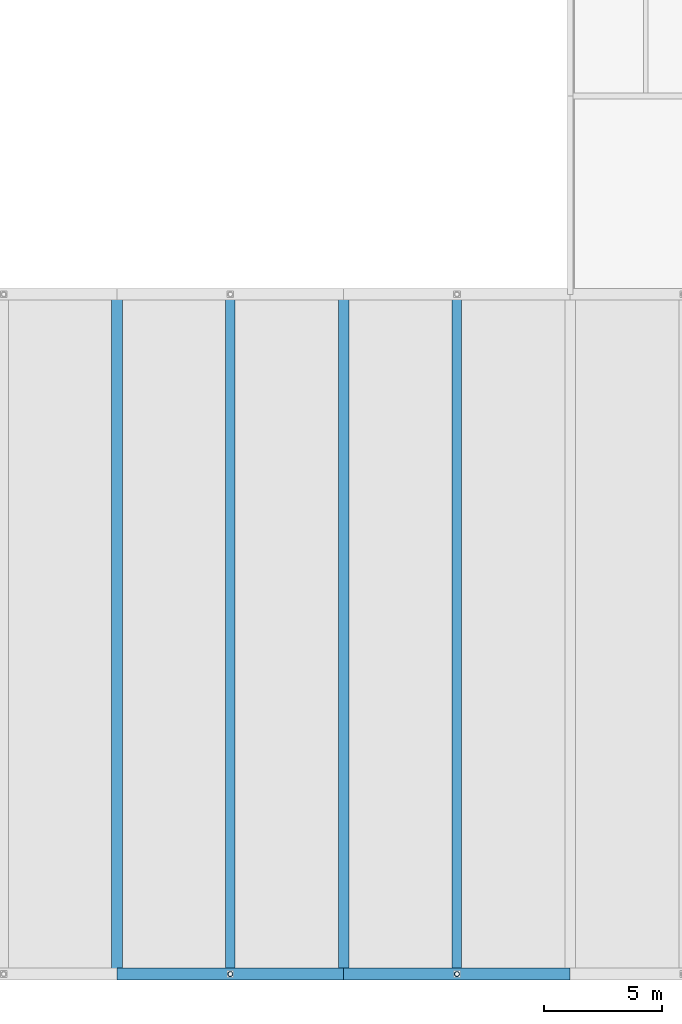
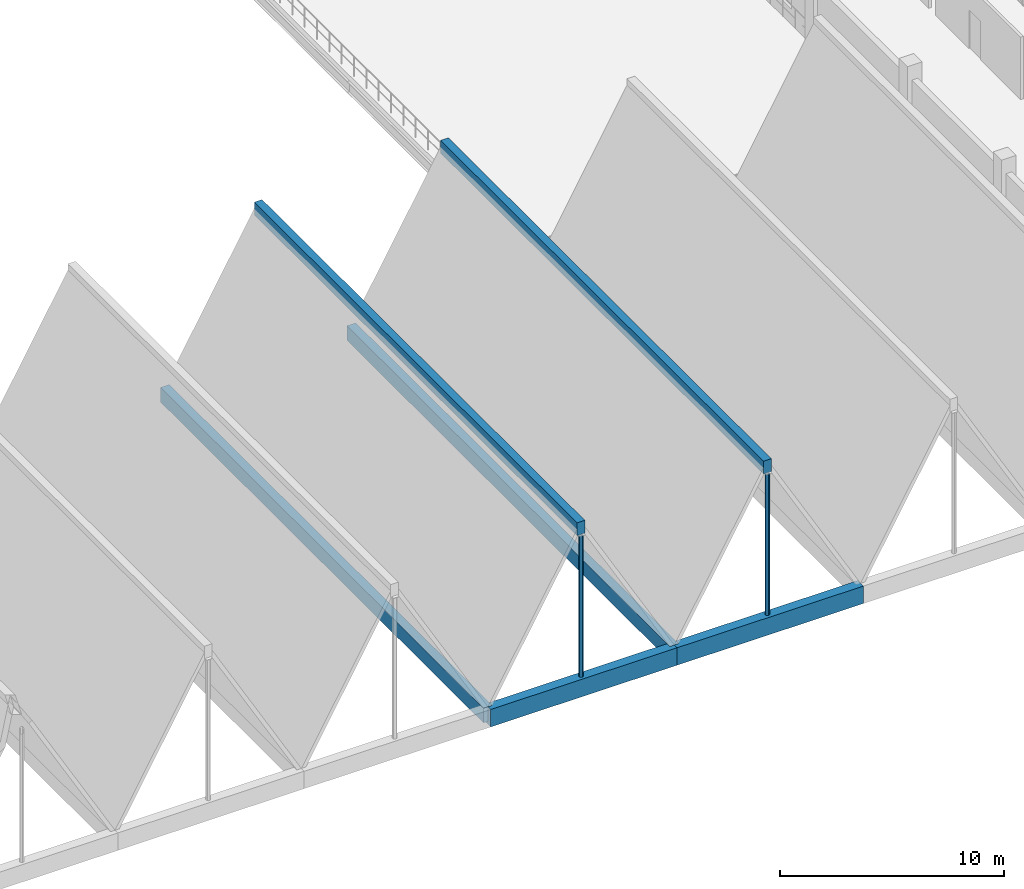
# One storey, part 8 of 86: 6 beams, 2 members, 1 element without a shape of its own.
"""IFC4 building model written with IfcOpenShell, lengths in metres."""

from ifc_helpers import new_model, si_unit, direction, frame, origin, origin_2d, place, context, subcontext, project, spatial, rectangle, hollow_circle, extrude, material, material_profile, profile_set, type_object, element, aggregate, save


model = new_model("IFC4")

# Units and contexts
model_context = context("Model", 3, precision=1e-05, world=origin(), true_north=direction((0.0, 1.0)))
body_context = subcontext(model_context, "Body", "Model", "MODEL_VIEW")
ifc_project = project(units=[si_unit("LENGTHUNIT", "METRE"), si_unit("AREAUNIT", "SQUARE_METRE"), si_unit("VOLUMEUNIT", "CUBIC_METRE"), si_unit("PLANEANGLEUNIT", "RADIAN"), si_unit("MASSUNIT", "GRAM", prefix="KILO")], contexts=[model_context])

# Site, building, storey
site_placement = place(None, origin())
site = spatial("IfcSite", under=ifc_project, at=site_placement, CompositionType="ELEMENT")
building_placement = place(site_placement, origin())
building = spatial("IfcBuilding", under=site, at=building_placement, Name="Oolite Switchyard Hospital", CompositionType="ELEMENT")
storey_placement = place(building_placement, frame((0.0, 0.0, 13.5)))
storey = spatial("IfcBuildingStorey", under=building, at=storey_placement, Name="L03", CompositionType="ELEMENT", Elevation=13.5)

# Roof, beams, members
ifc_material_1 = material(Name="Concrete C40/50", Category="concrete")
roof_type = type_object("IfcRoofType", Name="ROOF-FOLDED", PredefinedType="FREEFORM", material=ifc_material_1)
roof_placement = place(storey_placement, origin())
roof = element("IfcRoof", 1, at=roof_placement, inside=storey, type_object=roof_type, Name="L03 Main Arrival Hall Folded-Plate Roof", PredefinedType="FREEFORM")
ifc_material_profile_1 = material_profile(ifc_material_1, rectangle(XDim=0.5, YDim=0.949951171875, at=origin_2d()), Name="RCG500X950")
ifc_profile_set_1 = profile_set([ifc_material_profile_1], Name="Concrete C40/50")
beam_type_1 = type_object("IfcBeamType", Name="BM-GABLE950", PredefinedType="T_BEAM", material=ifc_profile_set_1)
beam_1_placement = place(storey_placement, frame((96.0, 4.800048828125, -0.47509765625), z_axis=(1.0, 0.0, 0.0), x_axis=(0.0, 1.0, 0.0)))
beam_1 = element("IfcBeam", 2, at=beam_1_placement, type_object=beam_type_1, Name="Main Hall Gable Diaphragm Tie Beam S4", PredefinedType="T_BEAM", context=body_context, shape_type="SweptSolid", body=[
    extrude(rectangle(XDim=0.5, YDim=0.949951171875, at=origin_2d()), origin(), (0.0, 0.0, 1.0), 9.60009765625),
])
beam_2_placement = place(storey_placement, frame((105.60009765625, 4.800048828125, -0.47509765625), z_axis=(1.0, 0.0, 0.0), x_axis=(0.0, 1.0, 0.0)))
beam_2 = element("IfcBeam", 3, at=beam_2_placement, type_object=beam_type_1, Name="Main Hall Gable Diaphragm Tie Beam S5", PredefinedType="T_BEAM", context=body_context, shape_type="SweptSolid", body=[
    extrude(rectangle(XDim=0.5, YDim=0.949951171875, at=origin_2d()), origin(), (0.0, 0.0, 1.0), 9.599853515625),
])
ifc_material_profile_2 = material_profile(ifc_material_1, rectangle(XDim=0.39990234375, YDim=0.699951171875, at=origin_2d()), Name="RCR400X700")
ifc_profile_set_2 = profile_set([ifc_material_profile_2], Name="Concrete C40/50")
beam_type_2 = type_object("IfcBeamType", Name="BM-RIDGE700", PredefinedType="T_BEAM", material=ifc_profile_set_2)
beam_3_placement = place(storey_placement, frame((100.800048828125, 4.800048828125, 8.050048828125), z_axis=(0.0, 1.0, 0.0), x_axis=(-1.0, 0.0, 0.0)))
beam_3 = element("IfcBeam", 4, at=beam_3_placement, type_object=beam_type_2, Name="Main Hall Folded-Plate Ridge Beam 4", PredefinedType="T_BEAM", context=body_context, shape_type="SweptSolid", body=[
    extrude(rectangle(XDim=0.39990234375, YDim=0.699951171875, at=origin_2d()), origin(), (0.0, 0.0, 1.0), 28.800048828125),
])
beam_4_placement = place(storey_placement, frame((110.39990234375, 4.800048828125, 8.050048828125), z_axis=(0.0, 1.0, 0.0), x_axis=(-1.0, 0.0, 0.0)))
beam_4 = element("IfcBeam", 5, at=beam_4_placement, type_object=beam_type_2, Name="Main Hall Folded-Plate Ridge Beam 5", PredefinedType="T_BEAM", context=body_context, shape_type="SweptSolid", body=[
    extrude(rectangle(XDim=0.39990234375, YDim=0.699951171875, at=origin_2d()), origin(), (0.0, 0.0, 1.0), 28.800048828125),
])
ifc_material_profile_3 = material_profile(ifc_material_1, rectangle(XDim=0.449951171875, YDim=0.800048828125, at=origin_2d()), Name="RCV450X800")
ifc_profile_set_3 = profile_set([ifc_material_profile_3], Name="Concrete C40/50")
beam_type_3 = type_object("IfcBeamType", Name="BM-VALLEY800", PredefinedType="T_BEAM", material=ifc_profile_set_3)
beam_5_placement = place(storey_placement, frame((96.0, 4.800048828125, -0.39990234375), z_axis=(0.0, 1.0, 0.0), x_axis=(-1.0, 0.0, 0.0)))
beam_5 = element("IfcBeam", 6, at=beam_5_placement, type_object=beam_type_3, Name="Main Hall Folded-Plate Valley Beam 4", PredefinedType="T_BEAM", context=body_context, shape_type="SweptSolid", body=[
    extrude(rectangle(XDim=0.449951171875, YDim=0.800048828125, at=origin_2d()), origin(), (0.0, 0.0, 1.0), 28.800048828125),
])
beam_6_placement = place(storey_placement, frame((105.60009765625, 4.800048828125, -0.39990234375), z_axis=(0.0, 1.0, 0.0), x_axis=(-1.0, 0.0, 0.0)))
beam_6 = element("IfcBeam", 7, at=beam_6_placement, type_object=beam_type_3, Name="Main Hall Folded-Plate Valley Beam 5", PredefinedType="T_BEAM", context=body_context, shape_type="SweptSolid", body=[
    extrude(rectangle(XDim=0.449951171875, YDim=0.800048828125, at=origin_2d()), origin(), (0.0, 0.0, 1.0), 28.800048828125),
])
ifc_material_2 = material(Name="Steel ASTM A500 Grade C", Category="steel")
ifc_material_profile_4 = material_profile(ifc_material_2, hollow_circle(Radius=0.109619140625, WallThickness=0.012939453125, at=origin_2d()), Name="HSS219X13")
ifc_profile_set_4 = profile_set([ifc_material_profile_4], Name="Steel ASTM A500 Grade C")
member_type = type_object("IfcMemberType", Name="MEM-ST-CHS219", PredefinedType="STRUT", material=ifc_profile_set_4)
member_1_placement = place(storey_placement, frame((100.800048828125, 4.800048828125, 0.0), z_axis=(0.0, 0.0, 1.0), x_axis=(1.0, 0.0, 0.0)))
member_1 = element("IfcMember", 8, at=member_1_placement, type_object=member_type, Name="Main Hall Gable King-Post Strut S4", PredefinedType="STRUT", context=body_context, shape_type="SweptSolid", body=[
    extrude(hollow_circle(Radius=0.109619140625, WallThickness=0.012939453125, at=origin_2d()), origin(), (0.0, 0.0, 1.0), 7.699951171875),
])
member_2_placement = place(storey_placement, frame((110.39990234375, 4.800048828125, 0.0), z_axis=(0.0, 0.0, 1.0), x_axis=(1.0, 0.0, 0.0)))
member_2 = element("IfcMember", 9, at=member_2_placement, type_object=member_type, Name="Main Hall Gable King-Post Strut S5", PredefinedType="STRUT", context=body_context, shape_type="SweptSolid", body=[
    extrude(hollow_circle(Radius=0.109619140625, WallThickness=0.012939453125, at=origin_2d()), origin(), (0.0, 0.0, 1.0), 7.699951171875),
])
aggregate(roof, [beam_3, beam_5, beam_1, member_1, beam_4, beam_6, beam_2, member_2])

save(model, "model.ifc")
